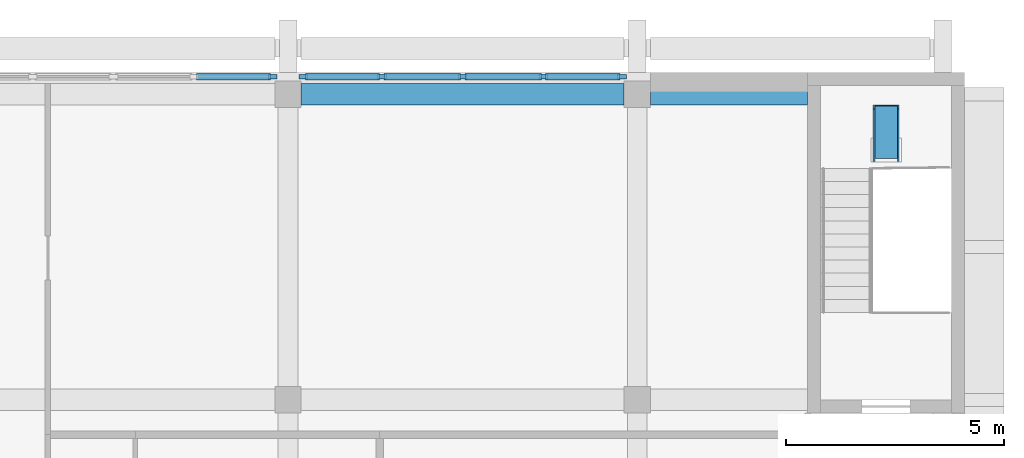
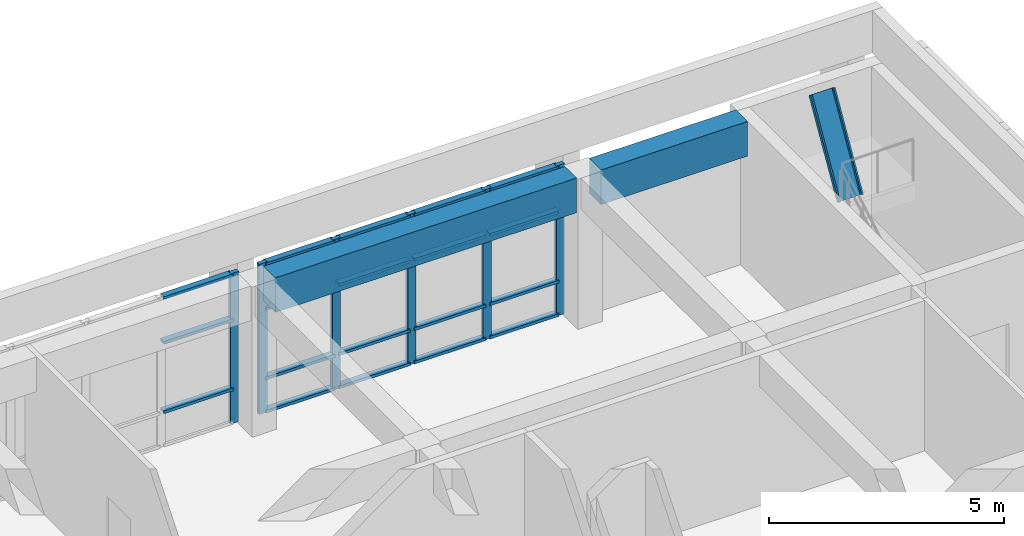
# One storey, part 10 of 21: 26 members, 2 beams, 2 elements without a shape of their own.
"""IFC4 building model written with IfcOpenShell, lengths in metres."""

from ifc_helpers import new_model, si_unit, direction, frame, origin, origin_2d, place, context, subcontext, project, spatial, polyline, rectangle, outline, extrude, material, material_profile, profile_set, type_object, element, aggregate, save


model = new_model("IFC4")

# Units and contexts
model_context = context("Model", 3, precision=1e-05, world=origin(), true_north=direction((0.0, 1.0)))
body_context = subcontext(model_context, "Body", "Model", "MODEL_VIEW")
ifc_project = project(units=[si_unit("LENGTHUNIT", "METRE"), si_unit("AREAUNIT", "SQUARE_METRE"), si_unit("VOLUMEUNIT", "CUBIC_METRE"), si_unit("PLANEANGLEUNIT", "RADIAN"), si_unit("MASSUNIT", "GRAM", prefix="KILO")], contexts=[model_context])

# Site, building, storey
site_placement = place(None, origin())
site = spatial("IfcSite", under=ifc_project, at=site_placement, CompositionType="ELEMENT")
building_placement = place(site_placement, origin())
building = spatial("IfcBuilding", under=site, at=building_placement, Name="Elmora Arch Market Hall", CompositionType="ELEMENT")
storey_placement = place(building_placement, frame((0.0, 0.0, 14.39990234375)))
storey = spatial("IfcBuildingStorey", under=building, at=storey_placement, Name="L03", CompositionType="ELEMENT", Elevation=14.39990234375)

# Curtain wall, member
ifc_material_1 = material(Name="Aluminium", Category="aluminium")
curtain_wall_type = type_object("IfcCurtainWallType", Name="School front curtain wall", PredefinedType="NOTDEFINED", material=ifc_material_1)
curtain_wall_1_placement = place(storey_placement, origin())
curtain_wall_1 = element("IfcCurtainWall", 1, at=curtain_wall_1_placement, inside=storey, type_object=curtain_wall_type, Name="School street front L03 3", PredefinedType="NOTDEFINED")
ifc_material_2 = material(Name="Aluminium", Category="aluminium")
ifc_material_profile_1 = material_profile(ifc_material_2, rectangle(XDim=0.10009765625, YDim=0.199951171875, at=origin_2d()), Name="AL 100x200")
ifc_profile_set_1 = profile_set([ifc_material_profile_1], Name="Aluminium")
member_type_1 = type_object("IfcMemberType", Name="Mullion 100x200", PredefinedType="MULLION", material=ifc_profile_set_1)
member_1_placement = place(storey_placement, frame((118.14990234375, 165.89990234375, 0.0), z_axis=(0.0, 0.0, 1.0), x_axis=(0.0, 1.0, 0.0)))
member_1 = element("IfcMember", 2, at=member_1_placement, type_object=member_type_1, Name="CW5 mullion 5", PredefinedType="MULLION", context=body_context, shape_type="SweptSolid", body=[
    extrude(rectangle(XDim=0.10009765625, YDim=0.199951171875, at=origin_2d()), origin(), (0.0, 0.0, 1.0), 3.900146484375),
])

# Curtain wall, members
curtain_wall_2_placement = place(storey_placement, origin())
curtain_wall_2 = element("IfcCurtainWall", 3, at=curtain_wall_2_placement, inside=storey, type_object=curtain_wall_type, Name="School street front L03 4", PredefinedType="NOTDEFINED")
member_2_placement = place(storey_placement, frame((118.85009765625, 165.89990234375, 0.0), z_axis=(0.0, 0.0, 1.0), x_axis=(0.0, 1.0, 0.0)))
member_2 = element("IfcMember", 4, at=member_2_placement, type_object=member_type_1, Name="CW5 mullion 1", PredefinedType="MULLION", context=body_context, shape_type="SweptSolid", body=[
    extrude(rectangle(XDim=0.10009765625, YDim=0.199951171875, at=origin_2d()), origin(), (0.0, 0.0, 1.0), 3.900146484375),
])
member_3_placement = place(storey_placement, frame((120.64990234375, 165.89990234375, 0.0), z_axis=(0.0, 0.0, 1.0), x_axis=(0.0, 1.0, 0.0)))
member_3 = element("IfcMember", 5, at=member_3_placement, type_object=member_type_1, Name="CW5 mullion 2", PredefinedType="MULLION", context=body_context, shape_type="SweptSolid", body=[
    extrude(rectangle(XDim=0.10009765625, YDim=0.199951171875, at=origin_2d()), origin(), (0.0, 0.0, 1.0), 3.900146484375),
])
member_4_placement = place(storey_placement, frame((122.5, 165.89990234375, 0.0), z_axis=(0.0, 0.0, 1.0), x_axis=(0.0, 1.0, 0.0)))
member_4 = element("IfcMember", 6, at=member_4_placement, type_object=member_type_1, Name="CW5 mullion 3", PredefinedType="MULLION", context=body_context, shape_type="SweptSolid", body=[
    extrude(rectangle(XDim=0.10009765625, YDim=0.199951171875, at=origin_2d()), origin(), (0.0, 0.0, 1.0), 3.900146484375),
])
member_5_placement = place(storey_placement, frame((124.35009765625, 165.89990234375, 0.0), z_axis=(0.0, 0.0, 1.0), x_axis=(0.0, 1.0, 0.0)))
member_5 = element("IfcMember", 7, at=member_5_placement, type_object=member_type_1, Name="CW5 mullion 4", PredefinedType="MULLION", context=body_context, shape_type="SweptSolid", body=[
    extrude(rectangle(XDim=0.10009765625, YDim=0.199951171875, at=origin_2d()), origin(), (0.0, 0.0, 1.0), 3.900146484375),
])
member_6_placement = place(storey_placement, frame((126.14990234375, 165.89990234375, 0.0), z_axis=(0.0, 0.0, 1.0), x_axis=(0.0, 1.0, 0.0)))
member_6 = element("IfcMember", 8, at=member_6_placement, type_object=member_type_1, Name="CW5 mullion 5", PredefinedType="MULLION", context=body_context, shape_type="SweptSolid", body=[
    extrude(rectangle(XDim=0.10009765625, YDim=0.199951171875, at=origin_2d()), origin(), (0.0, 0.0, 1.0), 3.900146484375),
])

# Member
ifc_material_3 = material(Name="Steel ASTM A500 Gr C", Category="steel")
ifc_material_profile_2 = material_profile(ifc_material_3, outline(polyline([(-0.300048828125, 0.0), (0.300048828125, 0.0), (0.300048828125, 0.10009765625), (0.260009765625, 0.10009765625), (0.260009765625, 0.02001953125), (-0.260009765625, 0.02001953125), (-0.260009765625, 0.10009765625), (-0.300048828125, 0.10009765625), (-0.300048828125, 0.0)])), Name="Ladder channel 600 x 100")
ifc_profile_set_2 = profile_set([ifc_material_profile_2], Name="Steel ASTM A500 Gr C")
member_type_2 = type_object("IfcMemberType", Name="Roof access ladder 600", PredefinedType="USERDEFINED", material=ifc_profile_set_2)
member_7_placement = place(storey_placement, frame((132.199951171875, 164.050048828125, 2.0), z_axis=(0.0, 0.505154929863, 0.863028676716), x_axis=(-1.0, 0.0, 0.0)))
element("IfcMember", 9, at=member_7_placement, inside=storey, type_object=member_type_2, Name="Roof access ladder ST-SCE", ObjectType="ROOF ACCESS LADDER", PredefinedType="USERDEFINED", context=body_context, shape_type="SweptSolid", body=[
    extrude(outline(polyline([(-0.300048828125, 0.0), (0.300048828125, 0.0), (0.300048828125, 0.10009765625), (0.260009765625, 0.10009765625), (0.260009765625, 0.02001953125), (-0.260009765625, 0.02001953125), (-0.260009765625, 0.10009765625), (-0.300048828125, 0.10009765625), (-0.300048828125, 0.0)])), origin(), (0.0, 0.0, 1.0), 2.37548828125),
])

# Beams
ifc_material_4 = material(Name="Concrete C32/40", Category="concrete")
ifc_material_profile_3 = material_profile(ifc_material_4, rectangle(XDim=0.5, YDim=0.89990234375, at=origin_2d()), Name="School girder 500x900")
ifc_profile_set_3 = profile_set([ifc_material_profile_3], Name="Concrete C32/40")
beam_type = type_object("IfcBeamType", Name="School girder 500x900", PredefinedType="BEAM", material=ifc_profile_set_3)
beam_1_placement = place(storey_placement, frame((118.800048828125, 165.5, 3.4501953125), z_axis=(1.0, 0.0, 0.0), x_axis=(0.0, 1.0, 0.0)))
element("IfcBeam", 10, at=beam_1_placement, inside=storey, type_object=beam_type, Name="School girder SX6 L03.5", PredefinedType="BEAM", context=body_context, shape_type="SweptSolid", body=[
    extrude(rectangle(XDim=0.5, YDim=0.89990234375, at=origin_2d()), origin(), (0.0, 0.0, 1.0), 7.39990234375),
])
beam_2_placement = place(storey_placement, frame((126.800048828125, 165.5, 3.4501953125), z_axis=(1.0, 0.0, 0.0), x_axis=(0.0, 1.0, 0.0)))
element("IfcBeam", 11, at=beam_2_placement, inside=storey, type_object=beam_type, Name="School girder SX6 L03.6", PredefinedType="BEAM", context=body_context, shape_type="SweptSolid", body=[
    extrude(rectangle(XDim=0.5, YDim=0.89990234375, at=origin_2d()), origin(), (0.0, 0.0, 1.0), 3.599853515625),
])

# Member
ifc_material_5 = material(Name="Aluminium", Category="aluminium")
ifc_material_profile_4 = material_profile(ifc_material_5, rectangle(XDim=0.14990234375, YDim=0.074951171875, at=origin_2d()), Name="AL 150x75")
ifc_profile_set_4 = profile_set([ifc_material_profile_4], Name="Aluminium")
member_type_3 = type_object("IfcMemberType", Name="Transom 150x75", PredefinedType="USERDEFINED", material=ifc_profile_set_4)
member_8_placement = place(storey_placement, frame((116.39990234375, 165.89990234375, 0.900146484375), z_axis=(1.0, 0.0, 0.0), x_axis=(0.0, 1.0, 0.0)))
member_8 = element("IfcMember", 12, at=member_8_placement, type_object=member_type_3, Name="CW5 transom 4.2", ObjectType="TRANSOM", PredefinedType="USERDEFINED", context=body_context, shape_type="SweptSolid", body=[
    extrude(rectangle(XDim=0.14990234375, YDim=0.074951171875, at=origin_2d()), origin(), (0.0, 0.0, 1.0), 1.7001953125),
])

member_9_placement = place(storey_placement, frame((116.39990234375, 165.89990234375, 2.7001953125), z_axis=(1.0, 0.0, 0.0), x_axis=(0.0, 1.0, 0.0)))
member_9 = element("IfcMember", 13, at=member_9_placement, type_object=member_type_3, Name="CW5 transom 4.3", ObjectType="TRANSOM", PredefinedType="USERDEFINED", context=body_context, shape_type="SweptSolid", body=[
    extrude(rectangle(XDim=0.14990234375, YDim=0.074951171875, at=origin_2d()), origin(), (0.0, 0.0, 1.0), 1.7001953125),
])

member_10_placement = place(storey_placement, frame((116.39990234375, 165.89990234375, 3.862548828125), z_axis=(1.0, 0.0, 0.0), x_axis=(0.0, 1.0, 0.0)))
member_10 = element("IfcMember", 14, at=member_10_placement, type_object=member_type_3, Name="CW5 transom 4.4", ObjectType="TRANSOM", PredefinedType="USERDEFINED", context=body_context, shape_type="SweptSolid", body=[
    extrude(rectangle(XDim=0.14990234375, YDim=0.074951171875, at=origin_2d()), origin(), (0.0, 0.0, 1.0), 1.7001953125),
])

aggregate(curtain_wall_1, [member_1, member_8, member_9, member_10])

member_11_placement = place(storey_placement, frame((118.89990234375, 165.89990234375, 0.03759765625), z_axis=(1.0, 0.0, 0.0), x_axis=(0.0, 1.0, 0.0)))
member_11 = element("IfcMember", 15, at=member_11_placement, type_object=member_type_3, Name="CW5 transom 1.1", ObjectType="TRANSOM", PredefinedType="USERDEFINED", context=body_context, shape_type="SweptSolid", body=[
    extrude(rectangle(XDim=0.14990234375, YDim=0.074951171875, at=origin_2d()), origin(), (0.0, 0.0, 1.0), 1.7001953125),
])

member_12_placement = place(storey_placement, frame((118.89990234375, 165.89990234375, 0.900146484375), z_axis=(1.0, 0.0, 0.0), x_axis=(0.0, 1.0, 0.0)))
member_12 = element("IfcMember", 16, at=member_12_placement, type_object=member_type_3, Name="CW5 transom 1.2", ObjectType="TRANSOM", PredefinedType="USERDEFINED", context=body_context, shape_type="SweptSolid", body=[
    extrude(rectangle(XDim=0.14990234375, YDim=0.074951171875, at=origin_2d()), origin(), (0.0, 0.0, 1.0), 1.7001953125),
])

member_13_placement = place(storey_placement, frame((118.89990234375, 165.89990234375, 2.7001953125), z_axis=(1.0, 0.0, 0.0), x_axis=(0.0, 1.0, 0.0)))
member_13 = element("IfcMember", 17, at=member_13_placement, type_object=member_type_3, Name="CW5 transom 1.3", ObjectType="TRANSOM", PredefinedType="USERDEFINED", context=body_context, shape_type="SweptSolid", body=[
    extrude(rectangle(XDim=0.14990234375, YDim=0.074951171875, at=origin_2d()), origin(), (0.0, 0.0, 1.0), 1.7001953125),
])

member_14_placement = place(storey_placement, frame((118.89990234375, 165.89990234375, 3.862548828125), z_axis=(1.0, 0.0, 0.0), x_axis=(0.0, 1.0, 0.0)))
member_14 = element("IfcMember", 18, at=member_14_placement, type_object=member_type_3, Name="CW5 transom 1.4", ObjectType="TRANSOM", PredefinedType="USERDEFINED", context=body_context, shape_type="SweptSolid", body=[
    extrude(rectangle(XDim=0.14990234375, YDim=0.074951171875, at=origin_2d()), origin(), (0.0, 0.0, 1.0), 1.7001953125),
])

member_15_placement = place(storey_placement, frame((120.699951171875, 165.89990234375, 0.03759765625), z_axis=(1.0, 0.0, 0.0), x_axis=(0.0, 1.0, 0.0)))
member_15 = element("IfcMember", 19, at=member_15_placement, type_object=member_type_3, Name="CW5 transom 2.1", ObjectType="TRANSOM", PredefinedType="USERDEFINED", context=body_context, shape_type="SweptSolid", body=[
    extrude(rectangle(XDim=0.14990234375, YDim=0.074951171875, at=origin_2d()), origin(), (0.0, 0.0, 1.0), 1.75),
])

member_16_placement = place(storey_placement, frame((120.699951171875, 165.89990234375, 0.900146484375), z_axis=(1.0, 0.0, 0.0), x_axis=(0.0, 1.0, 0.0)))
member_16 = element("IfcMember", 20, at=member_16_placement, type_object=member_type_3, Name="CW5 transom 2.2", ObjectType="TRANSOM", PredefinedType="USERDEFINED", context=body_context, shape_type="SweptSolid", body=[
    extrude(rectangle(XDim=0.14990234375, YDim=0.074951171875, at=origin_2d()), origin(), (0.0, 0.0, 1.0), 1.75),
])

member_17_placement = place(storey_placement, frame((120.699951171875, 165.89990234375, 2.7001953125), z_axis=(1.0, 0.0, 0.0), x_axis=(0.0, 1.0, 0.0)))
member_17 = element("IfcMember", 21, at=member_17_placement, type_object=member_type_3, Name="CW5 transom 2.3", ObjectType="TRANSOM", PredefinedType="USERDEFINED", context=body_context, shape_type="SweptSolid", body=[
    extrude(rectangle(XDim=0.14990234375, YDim=0.074951171875, at=origin_2d()), origin(), (0.0, 0.0, 1.0), 1.75),
])

member_18_placement = place(storey_placement, frame((120.699951171875, 165.89990234375, 3.862548828125), z_axis=(1.0, 0.0, 0.0), x_axis=(0.0, 1.0, 0.0)))
member_18 = element("IfcMember", 22, at=member_18_placement, type_object=member_type_3, Name="CW5 transom 2.4", ObjectType="TRANSOM", PredefinedType="USERDEFINED", context=body_context, shape_type="SweptSolid", body=[
    extrude(rectangle(XDim=0.14990234375, YDim=0.074951171875, at=origin_2d()), origin(), (0.0, 0.0, 1.0), 1.75),
])

member_19_placement = place(storey_placement, frame((122.550048828125, 165.89990234375, 0.03759765625), z_axis=(1.0, 0.0, 0.0), x_axis=(0.0, 1.0, 0.0)))
member_19 = element("IfcMember", 23, at=member_19_placement, type_object=member_type_3, Name="CW5 transom 3.1", ObjectType="TRANSOM", PredefinedType="USERDEFINED", context=body_context, shape_type="SweptSolid", body=[
    extrude(rectangle(XDim=0.14990234375, YDim=0.074951171875, at=origin_2d()), origin(), (0.0, 0.0, 1.0), 1.75),
])

member_20_placement = place(storey_placement, frame((122.550048828125, 165.89990234375, 0.900146484375), z_axis=(1.0, 0.0, 0.0), x_axis=(0.0, 1.0, 0.0)))
member_20 = element("IfcMember", 24, at=member_20_placement, type_object=member_type_3, Name="CW5 transom 3.2", ObjectType="TRANSOM", PredefinedType="USERDEFINED", context=body_context, shape_type="SweptSolid", body=[
    extrude(rectangle(XDim=0.14990234375, YDim=0.074951171875, at=origin_2d()), origin(), (0.0, 0.0, 1.0), 1.75),
])

member_21_placement = place(storey_placement, frame((122.550048828125, 165.89990234375, 2.7001953125), z_axis=(1.0, 0.0, 0.0), x_axis=(0.0, 1.0, 0.0)))
member_21 = element("IfcMember", 25, at=member_21_placement, type_object=member_type_3, Name="CW5 transom 3.3", ObjectType="TRANSOM", PredefinedType="USERDEFINED", context=body_context, shape_type="SweptSolid", body=[
    extrude(rectangle(XDim=0.14990234375, YDim=0.074951171875, at=origin_2d()), origin(), (0.0, 0.0, 1.0), 1.75),
])

member_22_placement = place(storey_placement, frame((122.550048828125, 165.89990234375, 3.862548828125), z_axis=(1.0, 0.0, 0.0), x_axis=(0.0, 1.0, 0.0)))
member_22 = element("IfcMember", 26, at=member_22_placement, type_object=member_type_3, Name="CW5 transom 3.4", ObjectType="TRANSOM", PredefinedType="USERDEFINED", context=body_context, shape_type="SweptSolid", body=[
    extrude(rectangle(XDim=0.14990234375, YDim=0.074951171875, at=origin_2d()), origin(), (0.0, 0.0, 1.0), 1.75),
])

member_23_placement = place(storey_placement, frame((124.39990234375, 165.89990234375, 0.03759765625), z_axis=(1.0, 0.0, 0.0), x_axis=(0.0, 1.0, 0.0)))
member_23 = element("IfcMember", 27, at=member_23_placement, type_object=member_type_3, Name="CW5 transom 4.1", ObjectType="TRANSOM", PredefinedType="USERDEFINED", context=body_context, shape_type="SweptSolid", body=[
    extrude(rectangle(XDim=0.14990234375, YDim=0.074951171875, at=origin_2d()), origin(), (0.0, 0.0, 1.0), 1.7001953125),
])

member_24_placement = place(storey_placement, frame((124.39990234375, 165.89990234375, 0.900146484375), z_axis=(1.0, 0.0, 0.0), x_axis=(0.0, 1.0, 0.0)))
member_24 = element("IfcMember", 28, at=member_24_placement, type_object=member_type_3, Name="CW5 transom 4.2", ObjectType="TRANSOM", PredefinedType="USERDEFINED", context=body_context, shape_type="SweptSolid", body=[
    extrude(rectangle(XDim=0.14990234375, YDim=0.074951171875, at=origin_2d()), origin(), (0.0, 0.0, 1.0), 1.7001953125),
])

member_25_placement = place(storey_placement, frame((124.39990234375, 165.89990234375, 2.7001953125), z_axis=(1.0, 0.0, 0.0), x_axis=(0.0, 1.0, 0.0)))
member_25 = element("IfcMember", 29, at=member_25_placement, type_object=member_type_3, Name="CW5 transom 4.3", ObjectType="TRANSOM", PredefinedType="USERDEFINED", context=body_context, shape_type="SweptSolid", body=[
    extrude(rectangle(XDim=0.14990234375, YDim=0.074951171875, at=origin_2d()), origin(), (0.0, 0.0, 1.0), 1.7001953125),
])

member_26_placement = place(storey_placement, frame((124.39990234375, 165.89990234375, 3.862548828125), z_axis=(1.0, 0.0, 0.0), x_axis=(0.0, 1.0, 0.0)))
member_26 = element("IfcMember", 30, at=member_26_placement, type_object=member_type_3, Name="CW5 transom 4.4", ObjectType="TRANSOM", PredefinedType="USERDEFINED", context=body_context, shape_type="SweptSolid", body=[
    extrude(rectangle(XDim=0.14990234375, YDim=0.074951171875, at=origin_2d()), origin(), (0.0, 0.0, 1.0), 1.7001953125),
])

aggregate(curtain_wall_2, [member_2, member_3, member_4, member_5, member_6, member_11, member_12, member_13, member_14, member_15, member_16, member_17, member_18, member_19, member_20, member_21, member_22, member_23, member_24, member_25, member_26])

save(model, "model.ifc")
